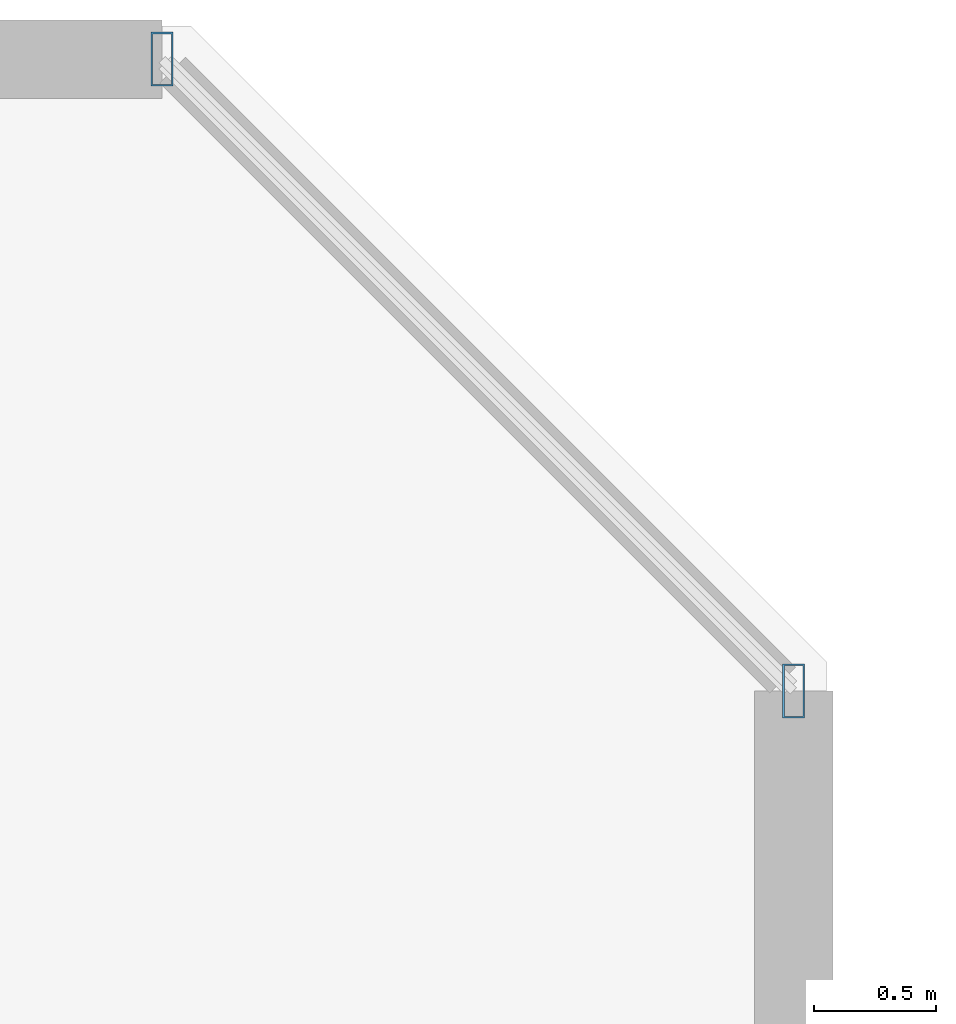
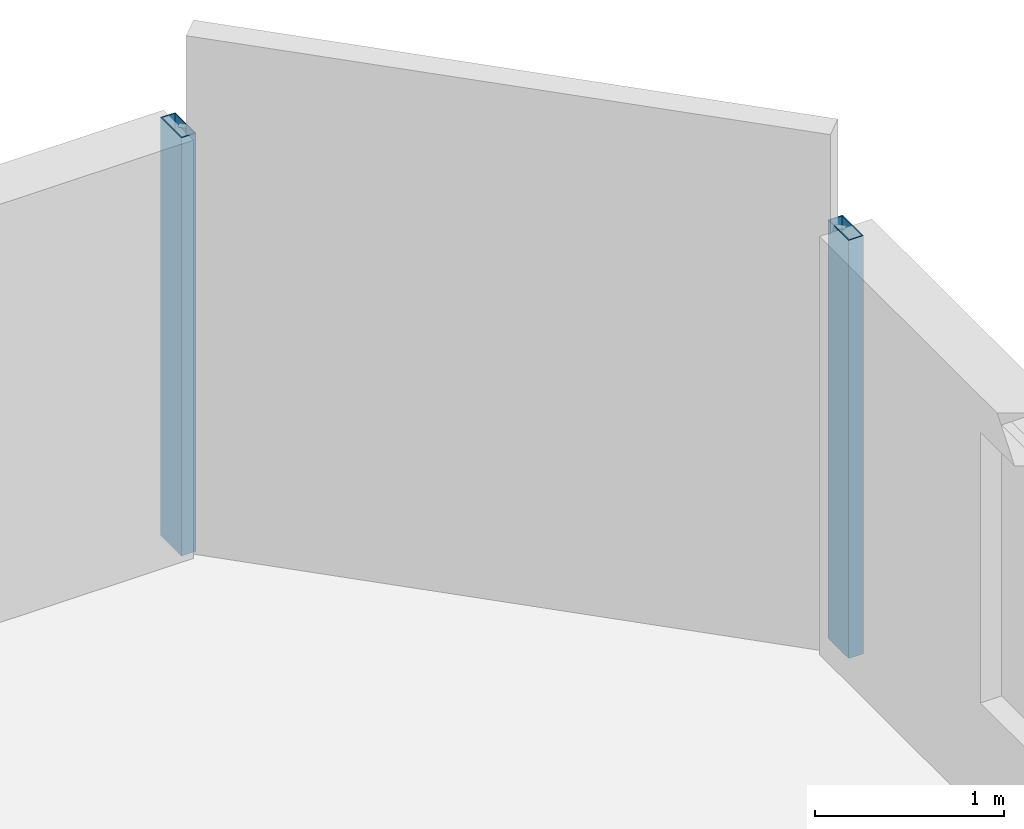
# One storey, part 16 of 33: 2 members, 1 element without a shape of its own.
"""IFC4 building model written with IfcOpenShell, lengths in metres."""

from ifc_helpers import new_model, si_unit, direction, frame, origin, origin_2d, place, context, subcontext, project, spatial, hollow_rectangle, extrude, material, material_profile, profile_set, type_object, element, aggregate, save


model = new_model("IFC4")

# Units and contexts
model_context = context("Model", 3, precision=1e-05, world=origin(), true_north=direction((0.0, 1.0)))
body_context = subcontext(model_context, "Body", "Model", "MODEL_VIEW")
ifc_project = project(units=[si_unit("LENGTHUNIT", "METRE"), si_unit("AREAUNIT", "SQUARE_METRE"), si_unit("VOLUMEUNIT", "CUBIC_METRE"), si_unit("PLANEANGLEUNIT", "RADIAN"), si_unit("MASSUNIT", "GRAM", prefix="KILO")], contexts=[model_context])

# Site, building, storey
site_placement = place(None, origin())
site = spatial("IfcSite", under=ifc_project, at=site_placement, CompositionType="ELEMENT")
building_placement = place(site_placement, origin())
building = spatial("IfcBuilding", under=site, at=building_placement, Name="Thornwick Lancets Civic Towers", CompositionType="ELEMENT")
storey_placement = place(building_placement, frame((0.0, 0.0, 31.5)))
storey = spatial("IfcBuildingStorey", under=building, at=storey_placement, Name="L07", CompositionType="ELEMENT", Elevation=31.5)

# Curtain wall, members
ifc_material_1 = material(Name="Low-zone chamfered-corner unitised glass curtain wall", Category="glass")
curtain_wall_type = type_object("IfcCurtainWallType", Name="CW_SYS_03", PredefinedType="NOTDEFINED", material=ifc_material_1)
curtain_wall_placement = place(storey_placement, origin())
curtain_wall = element("IfcCurtainWall", 1, at=curtain_wall_placement, inside=storey, type_object=curtain_wall_type, Name="L07 Curtain Wall CW-L07-B-E3", PredefinedType="NOTDEFINED")
ifc_material_2 = material(Name="Thermally broken bronze aluminium S355", Category="steel")
ifc_material_profile = material_profile(ifc_material_2, hollow_rectangle(XDim=0.090087890625, YDim=0.219970703125, WallThickness=0.00634765625, at=origin_2d()), Name="RHS 220x90x6.3")
ifc_profile_set = profile_set([ifc_material_profile], Name="Thermally broken bronze aluminium S355")
member_type = type_object("IfcMemberType", Name="CW_MUL_220", PredefinedType="MULLION", material=ifc_profile_set)
member_1_placement = place(storey_placement, frame((112.764892578125, 42.68115234375, 0.0), z_axis=(0.0, 0.0, 1.0), x_axis=(1.0, 0.0, 0.0)))
member_1 = element("IfcMember", 2, at=member_1_placement, type_object=member_type, Name="CW-L07-B-E3 Mullion 0", PredefinedType="MULLION", context=body_context, shape_type="SweptSolid", body=[
    extrude(hollow_rectangle(XDim=0.090087890625, YDim=0.219970703125, WallThickness=0.00634765625, at=origin_2d()), origin(), (0.0, 0.0, 1.0), 2.699951171875),
])
member_2_placement = place(storey_placement, frame((110.18115234375, 45.264892578125, 0.0), z_axis=(0.0, 0.0, 1.0), x_axis=(1.0, 0.0, 0.0)))
member_2 = element("IfcMember", 3, at=member_2_placement, type_object=member_type, Name="CW-L07-B-E3 Mullion 1", PredefinedType="MULLION", context=body_context, shape_type="SweptSolid", body=[
    extrude(hollow_rectangle(XDim=0.090087890625, YDim=0.219970703125, WallThickness=0.00634765625, at=origin_2d()), origin(), (0.0, 0.0, 1.0), 2.699951171875),
])
aggregate(curtain_wall, [member_1, member_2])

save(model, "model.ifc")
